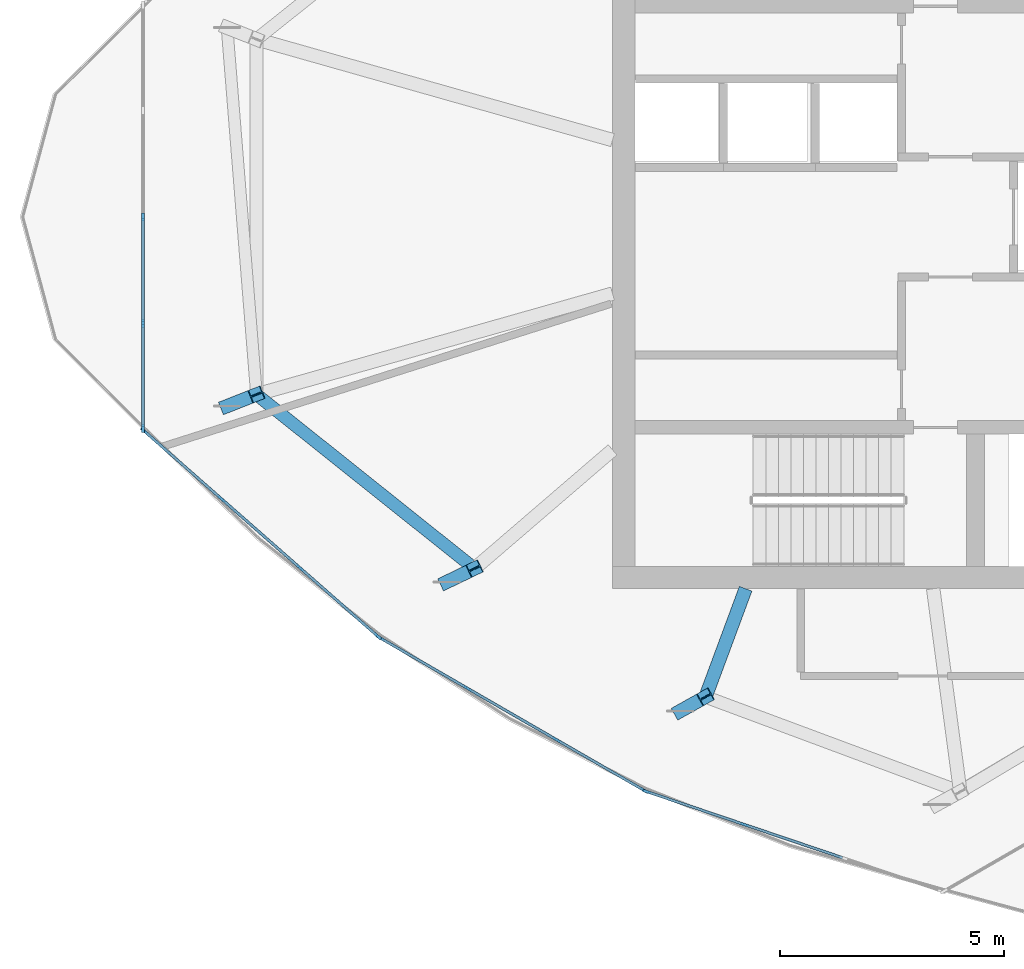
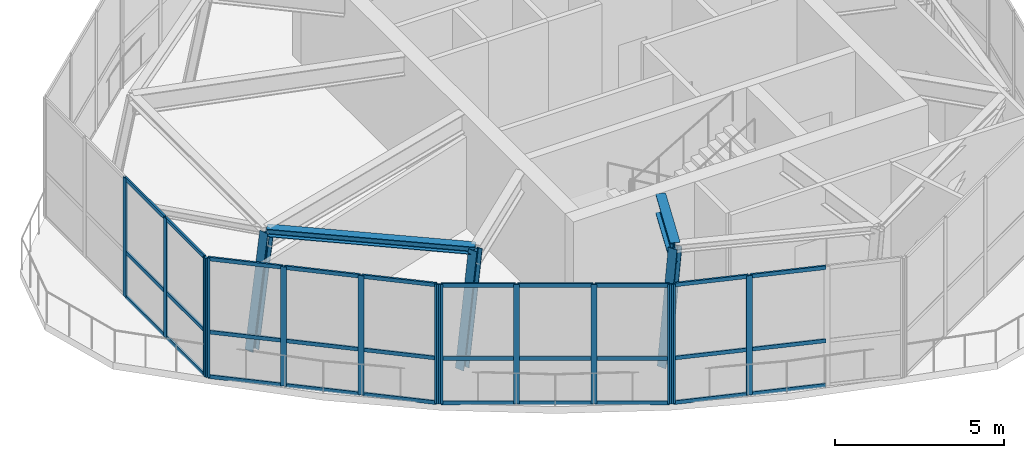
# One storey, part 1 of 11: 47 members, 1 beam, 4 elements without a shape of their own.
"""IFC4 building model written with IfcOpenShell, lengths in metres."""

from ifc_helpers import new_model, si_unit, direction, frame, origin, origin_2d, place, context, subcontext, project, spatial, rectangle, i_section, extrude, source, transform, mapped, material, layer, layer_set, material_profile, profile_set, type_object, element, aggregate, save


model = new_model("IFC4")

# Units and contexts
model_context = context("Model", 3, precision=1e-05, world=origin(), true_north=direction((0.0, 1.0)))
body_context = subcontext(model_context, "Body", "Model", "MODEL_VIEW")
ifc_project = project(units=[si_unit("LENGTHUNIT", "METRE"), si_unit("AREAUNIT", "SQUARE_METRE"), si_unit("VOLUMEUNIT", "CUBIC_METRE"), si_unit("PLANEANGLEUNIT", "RADIAN"), si_unit("MASSUNIT", "GRAM", prefix="KILO")], contexts=[model_context])

# Site, building, storey
site_placement = place(None, origin())
site = spatial("IfcSite", under=ifc_project, at=site_placement, CompositionType="ELEMENT")
building_placement = place(site_placement, origin())
building = spatial("IfcBuilding", under=site, at=building_placement, Name="Qafzar Sky-Pleat Residences", CompositionType="ELEMENT")
storey_placement = place(building_placement, frame((0.0, 0.0, 253.199951171875)))
storey = spatial("IfcBuildingStorey", under=building, at=storey_placement, Name="L76 Crown", CompositionType="ELEMENT", Elevation=253.199951171875)

# Members
ifc_material_1 = material(Name="Steel S460", Category="steel")
ifc_material_profile_1 = material_profile(ifc_material_1, i_section(OverallWidth=0.300048828125, OverallDepth=0.300048828125, WebThickness=0.010986328125, FlangeThickness=0.01904296875, FilletRadius=0.027099609375, at=origin_2d()), Name="HEB 300")
ifc_profile_set_1 = profile_set([ifc_material_profile_1], Name="Steel S460")
member_type_1 = type_object("IfcMemberType", Name="MEM-CROWN-RIB", PredefinedType="CHORD", material=ifc_profile_set_1)
shared_shape_1 = source(origin(), body_context, "Body", "SweptSolid", [
    extrude(i_section(OverallWidth=0.300048828125, OverallDepth=0.300048828125, WebThickness=0.010986328125, FlangeThickness=0.01904296875, FilletRadius=0.027099609375, at=origin_2d()), origin(), (0.0, 0.0, 1.0), 3.95947265625),
])
member_1_placement = place(storey_placement, frame((15.69580078125, 21.776611328125, 0.0), z_axis=(0.165986254429, 0.065420288243, 0.983955664259), x_axis=(-0.366678631025, 0.930347667031, 0.0)))
element("IfcMember", 1, at=member_1_placement, inside=storey, type_object=member_type_1, Name="L76 Crown CROWN FRAME Inclined Rib 2", PredefinedType="CHORD", context=body_context, shape_type="MappedRepresentation", body=[
    mapped(shared_shape_1, transform((0.0, 0.0, 0.0), x_axis=(1.0, 0.0, 0.0), y_axis=(0.0, 1.0, 0.0), z_axis=(0.0, 0.0, 1.0), scale=1.0)),
])
shared_shape_2 = source(origin(), body_context, "Body", "SweptSolid", [
    extrude(i_section(OverallWidth=0.300048828125, OverallDepth=0.300048828125, WebThickness=0.010986328125, FlangeThickness=0.01904296875, FilletRadius=0.027099609375, at=origin_2d()), origin(), (0.0, 0.0, 1.0), 3.95703125),
])
member_2_placement = place(storey_placement, frame((20.595703125, 17.85009765625, 0.0), z_axis=(0.157758701981, 0.075887056487, 0.984557436926), x_axis=(-0.433487101427, 0.901159771015, 0.0)))
element("IfcMember", 2, at=member_2_placement, inside=storey, type_object=member_type_1, Name="L76 Crown CROWN FRAME Inclined Rib 3", PredefinedType="CHORD", context=body_context, shape_type="MappedRepresentation", body=[
    mapped(shared_shape_2, transform((0.0, 0.0, 0.0), x_axis=(1.0, 0.0, 0.0), y_axis=(0.0, 1.0, 0.0), z_axis=(0.0, 0.0, 1.0), scale=1.0)),
])
shared_shape_3 = source(origin(), body_context, "Body", "SweptSolid", [
    extrude(i_section(OverallWidth=0.300048828125, OverallDepth=0.300048828125, WebThickness=0.010986328125, FlangeThickness=0.01904296875, FilletRadius=0.027099609375, at=origin_2d()), origin(), (0.0, 0.0, 1.0), 3.948974609375),
])
member_3_placement = place(storey_placement, frame((25.81201171875, 14.97119140625, 0.0), z_axis=(0.142623835253, 0.079750649101, 0.98655880493), x_axis=(-0.488050286309, 0.872815512026, 0.0)))
element("IfcMember", 3, at=member_3_placement, inside=storey, type_object=member_type_1, Name="L76 Crown CROWN FRAME Inclined Rib 4", PredefinedType="CHORD", context=body_context, shape_type="MappedRepresentation", body=[
    mapped(shared_shape_3, transform((0.0, 0.0, 0.0), x_axis=(1.0, 0.0, 0.0), y_axis=(0.0, 1.0, 0.0), z_axis=(0.0, 0.0, 1.0), scale=1.0)),
])
ifc_material_2 = material(Name="Steel S355", Category="steel")
ifc_material_profile_2 = material_profile(ifc_material_2, i_section(OverallWidth=0.280029296875, OverallDepth=0.280029296875, WebThickness=0.010498046875, FlangeThickness=0.01806640625, FilletRadius=0.02392578125, at=origin_2d()), Name="HEB 280")
ifc_profile_set_2 = profile_set([ifc_material_profile_2], Name="Steel S355")
member_type_2 = type_object("IfcMemberType", Name="MEM-CROWN-RING", PredefinedType="PURLIN", material=ifc_profile_set_2)
shared_shape_4 = source(origin(), body_context, "Body", "SweptSolid", [
    extrude(i_section(OverallWidth=0.280029296875, OverallDepth=0.280029296875, WebThickness=0.010498046875, FlangeThickness=0.01806640625, FilletRadius=0.02392578125, at=origin_2d()), origin(), (0.0, 0.0, 1.0), 6.2275390625),
])
member_4_placement = place(storey_placement, frame((16.35302734375, 22.03564453125, 3.906005859375), z_axis=(0.781518588215, -0.623881957003, 0.0), x_axis=(0.623881957003, 0.781518588215, 0.0)))
element("IfcMember", 4, at=member_4_placement, inside=storey, type_object=member_type_2, Name="L76 Crown CROWN FRAME Ring Beam 2", PredefinedType="PURLIN", context=body_context, shape_type="MappedRepresentation", body=[
    mapped(shared_shape_4, transform((0.0, 0.0, 0.0), x_axis=(1.0, 0.0, 0.0), y_axis=(0.0, 1.0, 0.0), z_axis=(0.0, 0.0, 1.0), scale=1.0)),
])

# Beam
ifc_material_profile_3 = material_profile(ifc_material_1, i_section(OverallWidth=0.300048828125, OverallDepth=0.699951171875, WebThickness=0.01708984375, FlangeThickness=0.031982421875, FilletRadius=0.027099609375, at=origin_2d()), Name="HEB 700")
ifc_profile_set_3 = profile_set([ifc_material_profile_3], Name="Steel S460")
beam_type = type_object("IfcBeamType", Name="BM-CHORD-HEB700", PredefinedType="BEAM", material=ifc_profile_set_3)
shared_shape_5 = source(origin(), body_context, "Body", "SweptSolid", [
    extrude(i_section(OverallWidth=0.300048828125, OverallDepth=0.699951171875, WebThickness=0.01708984375, FlangeThickness=0.031982421875, FilletRadius=0.027099609375, at=origin_2d()), origin(), (0.0, 0.0, 1.0), 2.574462890625),
])
beam_placement = place(storey_placement, frame((26.375244140625, 15.2861328125, 3.697998046875), z_axis=(0.347826989698, 0.937558736953, 0.0), x_axis=(-0.937558736953, 0.347826989698, 0.0)))
element("IfcBeam", 5, at=beam_placement, inside=storey, type_object=beam_type, Name="L77 Crown Crown Rib Base Transfer Beam 4", PredefinedType="BEAM", context=body_context, shape_type="MappedRepresentation", body=[
    mapped(shared_shape_5, transform((0.0, 0.0, 0.0), x_axis=(1.0, 0.0, 0.0), y_axis=(0.0, 1.0, 0.0), z_axis=(0.0, 0.0, 1.0), scale=1.0)),
])

# Curtain wall, members
ifc_material_3 = material(Name="Anodised bronze aluminium framing", Category="aluminium")
ifc_layer = layer(ifc_material_3, 0.179931640625)
ifc_layer_set = layer_set([ifc_layer], Name="Anodised bronze aluminium framing")
curtain_wall_type = type_object("IfcCurtainWallType", Name="CW-SYS-06", PredefinedType="NOTDEFINED", material=ifc_layer_set)
curtain_wall_1_placement = place(storey_placement, origin())
curtain_wall_1 = element("IfcCurtainWall", 6, at=curtain_wall_1_placement, inside=storey, type_object=curtain_wall_type, Name="L76 Crown CW-06 Curtain Wall CW-CROWN-01-01", PredefinedType="NOTDEFINED")
ifc_material_4 = material(Name="Anodised bronze aluminium", Category="aluminium")
ifc_material_profile_4 = material_profile(ifc_material_4, rectangle(XDim=0.06005859375, YDim=0.179931640625, at=origin_2d()), Name="ALU MULLION 60x180")
ifc_profile_set_4 = profile_set([ifc_material_profile_4], Name="Anodised bronze aluminium")
member_type_3 = type_object("IfcMemberType", Name="CWM-06", PredefinedType="MULLION", material=ifc_profile_set_4)
shared_shape_6 = source(origin(), body_context, "Body", "SweptSolid", [
    extrude(rectangle(XDim=0.06005859375, YDim=0.179931640625, at=origin_2d()), origin(), (0.0, 0.0, 1.0), 4.300048828125),
])
member_5_placement = place(storey_placement, frame((13.81982421875, 26.0, 0.0), z_axis=(0.0, 0.0, 1.0), x_axis=(1.0, 0.0, 0.0)))
member_5 = element("IfcMember", 7, at=member_5_placement, type_object=member_type_3, Name="CW-06 mullion 3", PredefinedType="MULLION", context=body_context, shape_type="MappedRepresentation", body=[
    mapped(shared_shape_6, transform((0.0, 0.0, 0.0), x_axis=(1.0, 0.0, 0.0), y_axis=(0.0, 1.0, 0.0), z_axis=(0.0, 0.0, 1.0), scale=1.0)),
])
member_6_placement = place(storey_placement, frame((13.81982421875, 23.62255859375, 0.0), z_axis=(0.0, 0.0, 1.0), x_axis=(1.0, 0.0, 0.0)))
member_6 = element("IfcMember", 8, at=member_6_placement, type_object=member_type_3, Name="CW-06 mullion 4", PredefinedType="MULLION", context=body_context, shape_type="MappedRepresentation", body=[
    mapped(shared_shape_6, transform((0.0, 0.0, 0.0), x_axis=(1.0, 0.0, 0.0), y_axis=(0.0, 1.0, 0.0), z_axis=(0.0, 0.0, 1.0), scale=1.0)),
])
member_7_placement = place(storey_placement, frame((13.81982421875, 21.27490234375, 0.0), z_axis=(0.0, 0.0, 1.0), x_axis=(1.0, 0.0, 0.0)))
member_7 = element("IfcMember", 9, at=member_7_placement, type_object=member_type_3, Name="CW-06 mullion 5", PredefinedType="MULLION", context=body_context, shape_type="MappedRepresentation", body=[
    mapped(shared_shape_6, transform((0.0, 0.0, 0.0), x_axis=(1.0, 0.0, 0.0), y_axis=(0.0, 1.0, 0.0), z_axis=(0.0, 0.0, 1.0), scale=1.0)),
])

curtain_wall_2_placement = place(storey_placement, origin())
curtain_wall_2 = element("IfcCurtainWall", 10, at=curtain_wall_2_placement, inside=storey, type_object=curtain_wall_type, Name="L76 Crown CW-06 Curtain Wall CW-CROWN-01-02", PredefinedType="NOTDEFINED")
member_8_placement = place(storey_placement, frame((13.84228515625, 21.22509765625, 0.0), z_axis=(0.0, 0.0, 1.0), x_axis=(0.6601294903, 0.751151819565, 0.0)))
member_8 = element("IfcMember", 11, at=member_8_placement, type_object=member_type_3, Name="CW-06 mullion 1", PredefinedType="MULLION", context=body_context, shape_type="MappedRepresentation", body=[
    mapped(shared_shape_6, transform((0.0, 0.0, 0.0), x_axis=(1.0, 0.0, 0.0), y_axis=(0.0, 1.0, 0.0), z_axis=(0.0, 0.0, 1.0), scale=1.0)),
])
member_9_placement = place(storey_placement, frame((15.574462890625, 19.702880859375, 0.0), z_axis=(0.0, 0.0, 1.0), x_axis=(0.6601294903, 0.751151819565, 0.0)))
member_9 = element("IfcMember", 12, at=member_9_placement, type_object=member_type_3, Name="CW-06 mullion 2", PredefinedType="MULLION", context=body_context, shape_type="MappedRepresentation", body=[
    mapped(shared_shape_6, transform((0.0, 0.0, 0.0), x_axis=(1.0, 0.0, 0.0), y_axis=(0.0, 1.0, 0.0), z_axis=(0.0, 0.0, 1.0), scale=1.0)),
])
member_10_placement = place(storey_placement, frame((17.329345703125, 18.16064453125, 0.0), z_axis=(0.0, 0.0, 1.0), x_axis=(0.6601294903, 0.751151819565, 0.0)))
member_10 = element("IfcMember", 13, at=member_10_placement, type_object=member_type_3, Name="CW-06 mullion 3", PredefinedType="MULLION", context=body_context, shape_type="MappedRepresentation", body=[
    mapped(shared_shape_6, transform((0.0, 0.0, 0.0), x_axis=(1.0, 0.0, 0.0), y_axis=(0.0, 1.0, 0.0), z_axis=(0.0, 0.0, 1.0), scale=1.0)),
])
member_11_placement = place(storey_placement, frame((19.0615234375, 16.638427734375, 0.0), z_axis=(0.0, 0.0, 1.0), x_axis=(0.6601294903, 0.751151819565, 0.0)))
member_11 = element("IfcMember", 14, at=member_11_placement, type_object=member_type_3, Name="CW-06 mullion 4", PredefinedType="MULLION", context=body_context, shape_type="MappedRepresentation", body=[
    mapped(shared_shape_6, transform((0.0, 0.0, 0.0), x_axis=(1.0, 0.0, 0.0), y_axis=(0.0, 1.0, 0.0), z_axis=(0.0, 0.0, 1.0), scale=1.0)),
])

curtain_wall_3_placement = place(storey_placement, origin())
curtain_wall_3 = element("IfcCurtainWall", 15, at=curtain_wall_3_placement, inside=storey, type_object=curtain_wall_type, Name="L76 Crown CW-06 Curtain Wall CW-CROWN-01-03", PredefinedType="NOTDEFINED")
member_12_placement = place(storey_placement, frame((19.10986328125, 16.603515625, 0.0), z_axis=(0.0, 0.0, 1.0), x_axis=(0.499999986124, 0.866025411795, 0.0)))
member_12 = element("IfcMember", 16, at=member_12_placement, type_object=member_type_3, Name="CW-06 mullion 1", PredefinedType="MULLION", context=body_context, shape_type="MappedRepresentation", body=[
    mapped(shared_shape_6, transform((0.0, 0.0, 0.0), x_axis=(1.0, 0.0, 0.0), y_axis=(0.0, 1.0, 0.0), z_axis=(0.0, 0.0, 1.0), scale=1.0)),
])
member_13_placement = place(storey_placement, frame((21.06787109375, 15.47314453125, 0.0), z_axis=(0.0, 0.0, 1.0), x_axis=(0.499999986124, 0.866025411795, 0.0)))
member_13 = element("IfcMember", 17, at=member_13_placement, type_object=member_type_3, Name="CW-06 mullion 2", PredefinedType="MULLION", context=body_context, shape_type="MappedRepresentation", body=[
    mapped(shared_shape_6, transform((0.0, 0.0, 0.0), x_axis=(1.0, 0.0, 0.0), y_axis=(0.0, 1.0, 0.0), z_axis=(0.0, 0.0, 1.0), scale=1.0)),
])
member_14_placement = place(storey_placement, frame((23.0517578125, 14.327880859375, 0.0), z_axis=(0.0, 0.0, 1.0), x_axis=(0.499999986124, 0.866025411795, 0.0)))
member_14 = element("IfcMember", 18, at=member_14_placement, type_object=member_type_3, Name="CW-06 mullion 3", PredefinedType="MULLION", context=body_context, shape_type="MappedRepresentation", body=[
    mapped(shared_shape_6, transform((0.0, 0.0, 0.0), x_axis=(1.0, 0.0, 0.0), y_axis=(0.0, 1.0, 0.0), z_axis=(0.0, 0.0, 1.0), scale=1.0)),
])
member_15_placement = place(storey_placement, frame((25.009521484375, 13.197509765625, 0.0), z_axis=(0.0, 0.0, 1.0), x_axis=(0.499999986124, 0.866025411795, 0.0)))
member_15 = element("IfcMember", 19, at=member_15_placement, type_object=member_type_3, Name="CW-06 mullion 4", PredefinedType="MULLION", context=body_context, shape_type="MappedRepresentation", body=[
    mapped(shared_shape_6, transform((0.0, 0.0, 0.0), x_axis=(1.0, 0.0, 0.0), y_axis=(0.0, 1.0, 0.0), z_axis=(0.0, 0.0, 1.0), scale=1.0)),
])

curtain_wall_4_placement = place(storey_placement, origin())
curtain_wall_4 = element("IfcCurtainWall", 20, at=curtain_wall_4_placement, inside=storey, type_object=curtain_wall_type, Name="L76 Crown CW-06 Curtain Wall CW-CROWN-01-04", PredefinedType="NOTDEFINED")
member_16_placement = place(storey_placement, frame((25.06396484375, 13.1728515625, 0.0), z_axis=(0.0, 0.0, 1.0), x_axis=(0.320453965191, 0.947264089995, 0.0)))
member_16 = element("IfcMember", 21, at=member_16_placement, type_object=member_type_3, Name="CW-06 mullion 1", PredefinedType="MULLION", context=body_context, shape_type="MappedRepresentation", body=[
    mapped(shared_shape_6, transform((0.0, 0.0, 0.0), x_axis=(1.0, 0.0, 0.0), y_axis=(0.0, 1.0, 0.0), z_axis=(0.0, 0.0, 1.0), scale=1.0)),
])
member_17_placement = place(storey_placement, frame((27.248291015625, 12.433837890625, 0.0), z_axis=(0.0, 0.0, 1.0), x_axis=(0.320453965191, 0.947264089995, 0.0)))
member_17 = element("IfcMember", 22, at=member_17_placement, type_object=member_type_3, Name="CW-06 mullion 2", PredefinedType="MULLION", context=body_context, shape_type="MappedRepresentation", body=[
    mapped(shared_shape_6, transform((0.0, 0.0, 0.0), x_axis=(1.0, 0.0, 0.0), y_axis=(0.0, 1.0, 0.0), z_axis=(0.0, 0.0, 1.0), scale=1.0)),
])

# Member
ifc_material_profile_5 = material_profile(ifc_material_4, rectangle(XDim=0.06005859375, YDim=0.135009765625, at=origin_2d()), Name="ALU TRANSOM 60x135")
ifc_profile_set_5 = profile_set([ifc_material_profile_5], Name="Anodised bronze aluminium")
member_type_4 = type_object("IfcMemberType", Name="CWT-06", PredefinedType="USERDEFINED", material=ifc_profile_set_5)
shared_shape_7 = source(origin(), body_context, "Body", "SweptSolid", [
    extrude(rectangle(XDim=0.06005859375, YDim=0.135009765625, at=origin_2d()), origin(), (0.0, 0.0, 1.0), 2.28759765625),
])
member_18_placement = place(storey_placement, frame((13.81982421875, 23.592529296875, 0.030029296875), z_axis=(0.0, -1.0, 0.0), x_axis=(1.0, 0.0, 0.0)))
member_18 = element("IfcMember", 23, at=member_18_placement, type_object=member_type_4, Name="CW-06 transom 4.1", ObjectType="TRANSOM", PredefinedType="USERDEFINED", context=body_context, shape_type="MappedRepresentation", body=[
    mapped(shared_shape_7, transform((0.0, 0.0, 0.0), x_axis=(1.0, 0.0, 0.0), y_axis=(0.0, 1.0, 0.0), z_axis=(0.0, 0.0, 1.0), scale=1.0)),
])

member_19_placement = place(storey_placement, frame((13.81982421875, 23.592529296875, 1.634033203125), z_axis=(0.0, -1.0, 0.0), x_axis=(1.0, 0.0, 0.0)))
member_19 = element("IfcMember", 24, at=member_19_placement, type_object=member_type_4, Name="CW-06 transom 4.2", ObjectType="TRANSOM", PredefinedType="USERDEFINED", context=body_context, shape_type="MappedRepresentation", body=[
    mapped(shared_shape_7, transform((0.0, 0.0, 0.0), x_axis=(1.0, 0.0, 0.0), y_axis=(0.0, 1.0, 0.0), z_axis=(0.0, 0.0, 1.0), scale=1.0)),
])

member_20_placement = place(storey_placement, frame((13.81982421875, 23.592529296875, 4.27001953125), z_axis=(0.0, -1.0, 0.0), x_axis=(1.0, 0.0, 0.0)))
member_20 = element("IfcMember", 25, at=member_20_placement, type_object=member_type_4, Name="CW-06 transom 4.3", ObjectType="TRANSOM", PredefinedType="USERDEFINED", context=body_context, shape_type="MappedRepresentation", body=[
    mapped(shared_shape_7, transform((0.0, 0.0, 0.0), x_axis=(1.0, 0.0, 0.0), y_axis=(0.0, 1.0, 0.0), z_axis=(0.0, 0.0, 1.0), scale=1.0)),
])

shared_shape_8 = source(origin(), body_context, "Body", "SweptSolid", [
    extrude(rectangle(XDim=0.06005859375, YDim=0.135009765625, at=origin_2d()), origin(), (0.0, 0.0, 1.0), 2.317626953125),
])
member_21_placement = place(storey_placement, frame((13.81982421875, 25.969970703125, 0.030029296875), z_axis=(0.0, -1.0, 0.0), x_axis=(1.0, 0.0, 0.0)))
member_21 = element("IfcMember", 26, at=member_21_placement, type_object=member_type_4, Name="CW-06 transom 3.1", ObjectType="TRANSOM", PredefinedType="USERDEFINED", context=body_context, shape_type="MappedRepresentation", body=[
    mapped(shared_shape_8, transform((0.0, 0.0, 0.0), x_axis=(1.0, 0.0, 0.0), y_axis=(0.0, 1.0, 0.0), z_axis=(0.0, 0.0, 1.0), scale=1.0)),
])

member_22_placement = place(storey_placement, frame((13.81982421875, 25.969970703125, 1.634033203125), z_axis=(0.0, -1.0, 0.0), x_axis=(1.0, 0.0, 0.0)))
member_22 = element("IfcMember", 27, at=member_22_placement, type_object=member_type_4, Name="CW-06 transom 3.2", ObjectType="TRANSOM", PredefinedType="USERDEFINED", context=body_context, shape_type="MappedRepresentation", body=[
    mapped(shared_shape_8, transform((0.0, 0.0, 0.0), x_axis=(1.0, 0.0, 0.0), y_axis=(0.0, 1.0, 0.0), z_axis=(0.0, 0.0, 1.0), scale=1.0)),
])

member_23_placement = place(storey_placement, frame((13.81982421875, 25.969970703125, 4.27001953125), z_axis=(0.0, -1.0, 0.0), x_axis=(1.0, 0.0, 0.0)))
member_23 = element("IfcMember", 28, at=member_23_placement, type_object=member_type_4, Name="CW-06 transom 3.3", ObjectType="TRANSOM", PredefinedType="USERDEFINED", context=body_context, shape_type="MappedRepresentation", body=[
    mapped(shared_shape_8, transform((0.0, 0.0, 0.0), x_axis=(1.0, 0.0, 0.0), y_axis=(0.0, 1.0, 0.0), z_axis=(0.0, 0.0, 1.0), scale=1.0)),
])

aggregate(curtain_wall_1, [member_5, member_6, member_7, member_21, member_22, member_23, member_18, member_19, member_20])

shared_shape_9 = source(origin(), body_context, "Body", "SweptSolid", [
    extrude(rectangle(XDim=0.06005859375, YDim=0.135009765625, at=origin_2d()), origin(), (0.0, 0.0, 1.0), 2.245849609375),
])
member_24_placement = place(storey_placement, frame((13.864990234375, 21.205322265625, 0.030029296875), z_axis=(0.751133863918, -0.660149921212, 0.0), x_axis=(0.660149921212, 0.751133863918, 0.0)))
member_24 = element("IfcMember", 29, at=member_24_placement, type_object=member_type_4, Name="CW-06 transom 1.1", ObjectType="TRANSOM", PredefinedType="USERDEFINED", context=body_context, shape_type="MappedRepresentation", body=[
    mapped(shared_shape_9, transform((0.0, 0.0, 0.0), x_axis=(1.0, 0.0, 0.0), y_axis=(0.0, 1.0, 0.0), z_axis=(0.0, 0.0, 1.0), scale=1.0)),
])

member_25_placement = place(storey_placement, frame((13.864990234375, 21.205322265625, 1.634033203125), z_axis=(0.751133863918, -0.660149921212, 0.0), x_axis=(0.660149921212, 0.751133863918, 0.0)))
member_25 = element("IfcMember", 30, at=member_25_placement, type_object=member_type_4, Name="CW-06 transom 1.2", ObjectType="TRANSOM", PredefinedType="USERDEFINED", context=body_context, shape_type="MappedRepresentation", body=[
    mapped(shared_shape_9, transform((0.0, 0.0, 0.0), x_axis=(1.0, 0.0, 0.0), y_axis=(0.0, 1.0, 0.0), z_axis=(0.0, 0.0, 1.0), scale=1.0)),
])

member_26_placement = place(storey_placement, frame((13.864990234375, 21.205322265625, 4.27001953125), z_axis=(0.751133863918, -0.660149921212, 0.0), x_axis=(0.660149921212, 0.751133863918, 0.0)))
member_26 = element("IfcMember", 31, at=member_26_placement, type_object=member_type_4, Name="CW-06 transom 1.3", ObjectType="TRANSOM", PredefinedType="USERDEFINED", context=body_context, shape_type="MappedRepresentation", body=[
    mapped(shared_shape_9, transform((0.0, 0.0, 0.0), x_axis=(1.0, 0.0, 0.0), y_axis=(0.0, 1.0, 0.0), z_axis=(0.0, 0.0, 1.0), scale=1.0)),
])

member_27_placement = place(storey_placement, frame((17.351806640625, 18.140869140625, 0.030029296875), z_axis=(0.751133863918, -0.660149921212, 0.0), x_axis=(0.660149921212, 0.751133863918, 0.0)))
member_27 = element("IfcMember", 32, at=member_27_placement, type_object=member_type_4, Name="CW-06 transom 3.1", ObjectType="TRANSOM", PredefinedType="USERDEFINED", context=body_context, shape_type="MappedRepresentation", body=[
    mapped(shared_shape_9, transform((0.0, 0.0, 0.0), x_axis=(1.0, 0.0, 0.0), y_axis=(0.0, 1.0, 0.0), z_axis=(0.0, 0.0, 1.0), scale=1.0)),
])

member_28_placement = place(storey_placement, frame((17.351806640625, 18.140869140625, 1.634033203125), z_axis=(0.751133863918, -0.660149921212, 0.0), x_axis=(0.660149921212, 0.751133863918, 0.0)))
member_28 = element("IfcMember", 33, at=member_28_placement, type_object=member_type_4, Name="CW-06 transom 3.2", ObjectType="TRANSOM", PredefinedType="USERDEFINED", context=body_context, shape_type="MappedRepresentation", body=[
    mapped(shared_shape_9, transform((0.0, 0.0, 0.0), x_axis=(1.0, 0.0, 0.0), y_axis=(0.0, 1.0, 0.0), z_axis=(0.0, 0.0, 1.0), scale=1.0)),
])

member_29_placement = place(storey_placement, frame((17.351806640625, 18.140869140625, 4.27001953125), z_axis=(0.751133863918, -0.660149921212, 0.0), x_axis=(0.660149921212, 0.751133863918, 0.0)))
member_29 = element("IfcMember", 34, at=member_29_placement, type_object=member_type_4, Name="CW-06 transom 3.3", ObjectType="TRANSOM", PredefinedType="USERDEFINED", context=body_context, shape_type="MappedRepresentation", body=[
    mapped(shared_shape_9, transform((0.0, 0.0, 0.0), x_axis=(1.0, 0.0, 0.0), y_axis=(0.0, 1.0, 0.0), z_axis=(0.0, 0.0, 1.0), scale=1.0)),
])

shared_shape_10 = source(origin(), body_context, "Body", "SweptSolid", [
    extrude(rectangle(XDim=0.06005859375, YDim=0.135009765625, at=origin_2d()), origin(), (0.0, 0.0, 1.0), 2.276123046875),
])
member_30_placement = place(storey_placement, frame((15.59716796875, 19.68310546875, 0.030029296875), z_axis=(0.751073020777, -0.660219143513, 0.0), x_axis=(0.660219143513, 0.751073020777, 0.0)))
member_30 = element("IfcMember", 35, at=member_30_placement, type_object=member_type_4, Name="CW-06 transom 2.1", ObjectType="TRANSOM", PredefinedType="USERDEFINED", context=body_context, shape_type="MappedRepresentation", body=[
    mapped(shared_shape_10, transform((0.0, 0.0, 0.0), x_axis=(1.0, 0.0, 0.0), y_axis=(0.0, 1.0, 0.0), z_axis=(0.0, 0.0, 1.0), scale=1.0)),
])

member_31_placement = place(storey_placement, frame((15.59716796875, 19.68310546875, 1.634033203125), z_axis=(0.751073020777, -0.660219143513, 0.0), x_axis=(0.660219143513, 0.751073020777, 0.0)))
member_31 = element("IfcMember", 36, at=member_31_placement, type_object=member_type_4, Name="CW-06 transom 2.2", ObjectType="TRANSOM", PredefinedType="USERDEFINED", context=body_context, shape_type="MappedRepresentation", body=[
    mapped(shared_shape_10, transform((0.0, 0.0, 0.0), x_axis=(1.0, 0.0, 0.0), y_axis=(0.0, 1.0, 0.0), z_axis=(0.0, 0.0, 1.0), scale=1.0)),
])

member_32_placement = place(storey_placement, frame((15.59716796875, 19.68310546875, 4.27001953125), z_axis=(0.751073020777, -0.660219143513, 0.0), x_axis=(0.660219143513, 0.751073020777, 0.0)))
member_32 = element("IfcMember", 37, at=member_32_placement, type_object=member_type_4, Name="CW-06 transom 2.3", ObjectType="TRANSOM", PredefinedType="USERDEFINED", context=body_context, shape_type="MappedRepresentation", body=[
    mapped(shared_shape_10, transform((0.0, 0.0, 0.0), x_axis=(1.0, 0.0, 0.0), y_axis=(0.0, 1.0, 0.0), z_axis=(0.0, 0.0, 1.0), scale=1.0)),
])

aggregate(curtain_wall_2, [member_8, member_9, member_10, member_11, member_24, member_25, member_26, member_30, member_31, member_32, member_27, member_28, member_29])

member_33_placement = place(storey_placement, frame((27.27685546875, 12.42431640625, 0.030029296875), z_axis=(0.947247034967, -0.32050437555, 0.0), x_axis=(0.32050437555, 0.947247034967, 0.0)))
member_33 = element("IfcMember", 38, at=member_33_placement, type_object=member_type_4, Name="CW-06 transom 2.1", ObjectType="TRANSOM", PredefinedType="USERDEFINED", context=body_context, shape_type="MappedRepresentation", body=[
    mapped(shared_shape_10, transform((0.0, 0.0, 0.0), x_axis=(1.0, 0.0, 0.0), y_axis=(0.0, 1.0, 0.0), z_axis=(0.0, 0.0, 1.0), scale=1.0)),
])

member_34_placement = place(storey_placement, frame((27.27685546875, 12.42431640625, 1.634033203125), z_axis=(0.947247034967, -0.32050437555, 0.0), x_axis=(0.32050437555, 0.947247034967, 0.0)))
member_34 = element("IfcMember", 39, at=member_34_placement, type_object=member_type_4, Name="CW-06 transom 2.2", ObjectType="TRANSOM", PredefinedType="USERDEFINED", context=body_context, shape_type="MappedRepresentation", body=[
    mapped(shared_shape_10, transform((0.0, 0.0, 0.0), x_axis=(1.0, 0.0, 0.0), y_axis=(0.0, 1.0, 0.0), z_axis=(0.0, 0.0, 1.0), scale=1.0)),
])

member_35_placement = place(storey_placement, frame((27.27685546875, 12.42431640625, 4.27001953125), z_axis=(0.947247034967, -0.32050437555, 0.0), x_axis=(0.32050437555, 0.947247034967, 0.0)))
member_35 = element("IfcMember", 40, at=member_35_placement, type_object=member_type_4, Name="CW-06 transom 2.3", ObjectType="TRANSOM", PredefinedType="USERDEFINED", context=body_context, shape_type="MappedRepresentation", body=[
    mapped(shared_shape_10, transform((0.0, 0.0, 0.0), x_axis=(1.0, 0.0, 0.0), y_axis=(0.0, 1.0, 0.0), z_axis=(0.0, 0.0, 1.0), scale=1.0)),
])

shared_shape_11 = source(origin(), body_context, "Body", "SweptSolid", [
    extrude(rectangle(XDim=0.06005859375, YDim=0.135009765625, at=origin_2d()), origin(), (0.0, 0.0, 1.0), 2.20068359375),
])
member_36_placement = place(storey_placement, frame((19.135986328125, 16.588623046875, 0.030029296875), z_axis=(0.866015613246, -0.500016957327, 0.0), x_axis=(0.500016957327, 0.866015613246, 0.0)))
member_36 = element("IfcMember", 41, at=member_36_placement, type_object=member_type_4, Name="CW-06 transom 1.1", ObjectType="TRANSOM", PredefinedType="USERDEFINED", context=body_context, shape_type="MappedRepresentation", body=[
    mapped(shared_shape_11, transform((0.0, 0.0, 0.0), x_axis=(1.0, 0.0, 0.0), y_axis=(0.0, 1.0, 0.0), z_axis=(0.0, 0.0, 1.0), scale=1.0)),
])

member_37_placement = place(storey_placement, frame((19.135986328125, 16.588623046875, 1.634033203125), z_axis=(0.866015613246, -0.500016957327, 0.0), x_axis=(0.500016957327, 0.866015613246, 0.0)))
member_37 = element("IfcMember", 42, at=member_37_placement, type_object=member_type_4, Name="CW-06 transom 1.2", ObjectType="TRANSOM", PredefinedType="USERDEFINED", context=body_context, shape_type="MappedRepresentation", body=[
    mapped(shared_shape_11, transform((0.0, 0.0, 0.0), x_axis=(1.0, 0.0, 0.0), y_axis=(0.0, 1.0, 0.0), z_axis=(0.0, 0.0, 1.0), scale=1.0)),
])

member_38_placement = place(storey_placement, frame((19.135986328125, 16.588623046875, 4.27001953125), z_axis=(0.866015613246, -0.500016957327, 0.0), x_axis=(0.500016957327, 0.866015613246, 0.0)))
member_38 = element("IfcMember", 43, at=member_38_placement, type_object=member_type_4, Name="CW-06 transom 1.3", ObjectType="TRANSOM", PredefinedType="USERDEFINED", context=body_context, shape_type="MappedRepresentation", body=[
    mapped(shared_shape_11, transform((0.0, 0.0, 0.0), x_axis=(1.0, 0.0, 0.0), y_axis=(0.0, 1.0, 0.0), z_axis=(0.0, 0.0, 1.0), scale=1.0)),
])

shared_shape_12 = source(origin(), body_context, "Body", "SweptSolid", [
    extrude(rectangle(XDim=0.06005859375, YDim=0.135009765625, at=origin_2d()), origin(), (0.0, 0.0, 1.0), 2.230712890625),
])
member_39_placement = place(storey_placement, frame((21.09375, 15.458251953125, 0.030029296875), z_axis=(0.866005152699, -0.500035074268, 0.0), x_axis=(0.500035074268, 0.866005152699, 0.0)))
member_39 = element("IfcMember", 44, at=member_39_placement, type_object=member_type_4, Name="CW-06 transom 2.1", ObjectType="TRANSOM", PredefinedType="USERDEFINED", context=body_context, shape_type="MappedRepresentation", body=[
    mapped(shared_shape_12, transform((0.0, 0.0, 0.0), x_axis=(1.0, 0.0, 0.0), y_axis=(0.0, 1.0, 0.0), z_axis=(0.0, 0.0, 1.0), scale=1.0)),
])

member_40_placement = place(storey_placement, frame((21.09375, 15.458251953125, 1.634033203125), z_axis=(0.866005152699, -0.500035074268, 0.0), x_axis=(0.500035074268, 0.866005152699, 0.0)))
member_40 = element("IfcMember", 45, at=member_40_placement, type_object=member_type_4, Name="CW-06 transom 2.2", ObjectType="TRANSOM", PredefinedType="USERDEFINED", context=body_context, shape_type="MappedRepresentation", body=[
    mapped(shared_shape_12, transform((0.0, 0.0, 0.0), x_axis=(1.0, 0.0, 0.0), y_axis=(0.0, 1.0, 0.0), z_axis=(0.0, 0.0, 1.0), scale=1.0)),
])

member_41_placement = place(storey_placement, frame((21.09375, 15.458251953125, 4.27001953125), z_axis=(0.866005152699, -0.500035074268, 0.0), x_axis=(0.500035074268, 0.866005152699, 0.0)))
member_41 = element("IfcMember", 46, at=member_41_placement, type_object=member_type_4, Name="CW-06 transom 2.3", ObjectType="TRANSOM", PredefinedType="USERDEFINED", context=body_context, shape_type="MappedRepresentation", body=[
    mapped(shared_shape_12, transform((0.0, 0.0, 0.0), x_axis=(1.0, 0.0, 0.0), y_axis=(0.0, 1.0, 0.0), z_axis=(0.0, 0.0, 1.0), scale=1.0)),
])

shared_shape_13 = source(origin(), body_context, "Body", "SweptSolid", [
    extrude(rectangle(XDim=0.06005859375, YDim=0.135009765625, at=origin_2d()), origin(), (0.0, 0.0, 1.0), 2.200927734375),
])
member_42_placement = place(storey_placement, frame((23.07763671875, 14.31298828125, 0.030029296875), z_axis=(0.865995312553, -0.50005211592, 0.0), x_axis=(0.50005211592, 0.865995312553, 0.0)))
member_42 = element("IfcMember", 47, at=member_42_placement, type_object=member_type_4, Name="CW-06 transom 3.1", ObjectType="TRANSOM", PredefinedType="USERDEFINED", context=body_context, shape_type="MappedRepresentation", body=[
    mapped(shared_shape_13, transform((0.0, 0.0, 0.0), x_axis=(1.0, 0.0, 0.0), y_axis=(0.0, 1.0, 0.0), z_axis=(0.0, 0.0, 1.0), scale=1.0)),
])

member_43_placement = place(storey_placement, frame((23.07763671875, 14.31298828125, 1.634033203125), z_axis=(0.865995312553, -0.50005211592, 0.0), x_axis=(0.50005211592, 0.865995312553, 0.0)))
member_43 = element("IfcMember", 48, at=member_43_placement, type_object=member_type_4, Name="CW-06 transom 3.2", ObjectType="TRANSOM", PredefinedType="USERDEFINED", context=body_context, shape_type="MappedRepresentation", body=[
    mapped(shared_shape_13, transform((0.0, 0.0, 0.0), x_axis=(1.0, 0.0, 0.0), y_axis=(0.0, 1.0, 0.0), z_axis=(0.0, 0.0, 1.0), scale=1.0)),
])

member_44_placement = place(storey_placement, frame((23.07763671875, 14.31298828125, 4.27001953125), z_axis=(0.865995312553, -0.50005211592, 0.0), x_axis=(0.50005211592, 0.865995312553, 0.0)))
member_44 = element("IfcMember", 49, at=member_44_placement, type_object=member_type_4, Name="CW-06 transom 3.3", ObjectType="TRANSOM", PredefinedType="USERDEFINED", context=body_context, shape_type="MappedRepresentation", body=[
    mapped(shared_shape_13, transform((0.0, 0.0, 0.0), x_axis=(1.0, 0.0, 0.0), y_axis=(0.0, 1.0, 0.0), z_axis=(0.0, 0.0, 1.0), scale=1.0)),
])

aggregate(curtain_wall_3, [member_12, member_13, member_14, member_15, member_36, member_37, member_38, member_39, member_40, member_41, member_42, member_43, member_44])

shared_shape_14 = source(origin(), body_context, "Body", "SweptSolid", [
    extrude(rectangle(XDim=0.06005859375, YDim=0.135009765625, at=origin_2d()), origin(), (0.0, 0.0, 1.0), 2.24609375),
])
member_45_placement = place(storey_placement, frame((25.09228515625, 13.163330078125, 0.030029296875), z_axis=(0.94727181429, -0.320431131214, 0.0), x_axis=(0.320431131214, 0.94727181429, 0.0)))
member_45 = element("IfcMember", 50, at=member_45_placement, type_object=member_type_4, Name="CW-06 transom 1.1", ObjectType="TRANSOM", PredefinedType="USERDEFINED", context=body_context, shape_type="MappedRepresentation", body=[
    mapped(shared_shape_14, transform((0.0, 0.0, 0.0), x_axis=(1.0, 0.0, 0.0), y_axis=(0.0, 1.0, 0.0), z_axis=(0.0, 0.0, 1.0), scale=1.0)),
])

member_46_placement = place(storey_placement, frame((25.09228515625, 13.163330078125, 1.634033203125), z_axis=(0.94727181429, -0.320431131214, 0.0), x_axis=(0.320431131214, 0.94727181429, 0.0)))
member_46 = element("IfcMember", 51, at=member_46_placement, type_object=member_type_4, Name="CW-06 transom 1.2", ObjectType="TRANSOM", PredefinedType="USERDEFINED", context=body_context, shape_type="MappedRepresentation", body=[
    mapped(shared_shape_14, transform((0.0, 0.0, 0.0), x_axis=(1.0, 0.0, 0.0), y_axis=(0.0, 1.0, 0.0), z_axis=(0.0, 0.0, 1.0), scale=1.0)),
])

member_47_placement = place(storey_placement, frame((25.09228515625, 13.163330078125, 4.27001953125), z_axis=(0.94727181429, -0.320431131214, 0.0), x_axis=(0.320431131214, 0.94727181429, 0.0)))
member_47 = element("IfcMember", 52, at=member_47_placement, type_object=member_type_4, Name="CW-06 transom 1.3", ObjectType="TRANSOM", PredefinedType="USERDEFINED", context=body_context, shape_type="MappedRepresentation", body=[
    mapped(shared_shape_14, transform((0.0, 0.0, 0.0), x_axis=(1.0, 0.0, 0.0), y_axis=(0.0, 1.0, 0.0), z_axis=(0.0, 0.0, 1.0), scale=1.0)),
])

aggregate(curtain_wall_4, [member_16, member_17, member_45, member_46, member_47, member_33, member_34, member_35])

save(model, "model.ifc")
